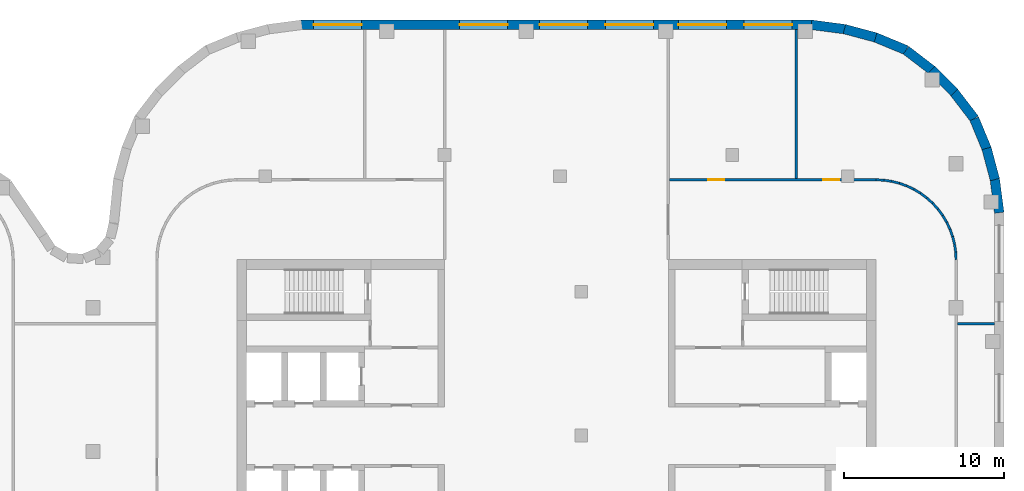
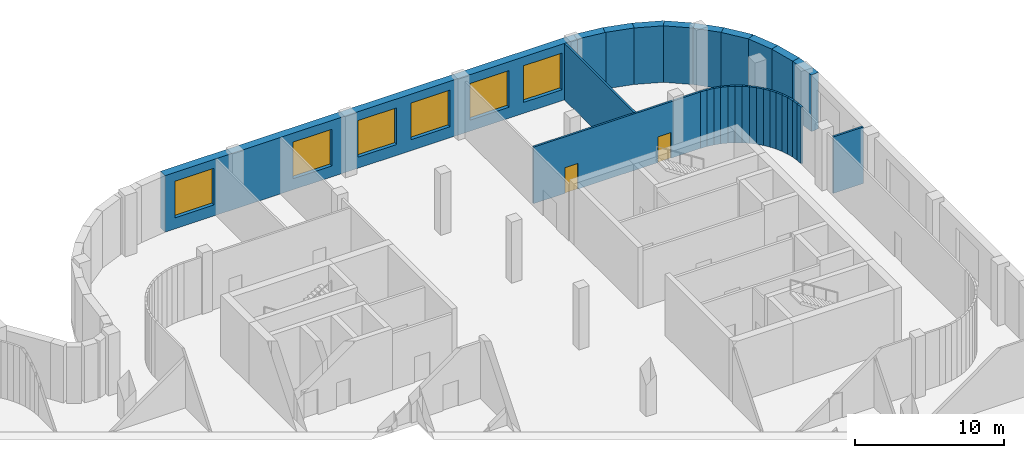
# One storey, part 15 of 18: 29 walls, 6 windows, 2 doors, 8 openings.
"""IFC4 building model written with IfcOpenShell, lengths in metres."""

from ifc_helpers import new_model, si_unit, direction, frame, frame_2d, origin, place, context, subcontext, project, spatial, rectangle, extrude, material, layer, layer_set, type_object, element, fill, save


model = new_model("IFC4")

# Units and contexts
model_context = context("Model", 3, precision=1e-05, world=origin(), true_north=direction((0.0, 1.0)))
body_context = subcontext(model_context, "Body", "Model", "MODEL_VIEW")
ifc_project = project(units=[si_unit("LENGTHUNIT", "METRE"), si_unit("AREAUNIT", "SQUARE_METRE"), si_unit("VOLUMEUNIT", "CUBIC_METRE"), si_unit("PLANEANGLEUNIT", "RADIAN"), si_unit("MASSUNIT", "GRAM", prefix="KILO")], contexts=[model_context])

# Site, building, storey
site_placement = place(None, origin())
site = spatial("IfcSite", under=ifc_project, at=site_placement, CompositionType="ELEMENT")
building_placement = place(site_placement, origin())
building = spatial("IfcBuilding", under=site, at=building_placement, Name="Skarvind Civic Tower", CompositionType="ELEMENT")
storey_placement = place(building_placement, frame((0.0, 0.0, 22.5)))
storey = spatial("IfcBuildingStorey", under=building, at=storey_placement, Name="L04", CompositionType="ELEMENT", Elevation=22.5)

# Wall, openings, doors
ifc_material_1 = material(Name="Plasterboard partition on steel studs", Category="steel")
ifc_layer_1 = layer(ifc_material_1, 0.14990234375)
ifc_layer_set_1 = layer_set([ifc_layer_1], Name="PARTITION 150")
wall_type_1 = type_object("IfcWallType", Name="PARTITION 150", PredefinedType="PARTITIONING", material=ifc_layer_set_1)
wall_1_placement = place(storey_placement, frame((154.074951171875, 144.0, 0.0), z_axis=(0.0, 0.0, 1.0), x_axis=(1.0, 0.0, 0.0)))
wall_1 = element("IfcWall", 1, at=wall_1_placement, inside=storey, type_object=wall_type_1, Name="Podium partition L04 247", PredefinedType="PARTITIONING", context=body_context, shape_type="SweptSolid", body=[
    extrude(rectangle(XDim=12.927001953125, YDim=0.14990234375, at=frame_2d((6.46337890625, 0.0))), origin(), (0.0, 0.0, 1.0), 4.625),
])
opening_1_placement = place(wall_1_placement, frame((2.427001953125, 0.0, 0.0)))
opening_1 = element("IfcOpeningElement", 2, at=opening_1_placement, cuts=wall_1, Name="Opening L04-D225", PredefinedType="OPENING", context=body_context, shape_type="SweptSolid", body=[
    extrude(rectangle(XDim=1.0, YDim=2.10009765625, at=frame_2d((0.5, 1.050048828125))), frame((0.0, 0.0849609375, 0.0), z_axis=(0.0, -1.0, 0.0), x_axis=(1.0, 0.0, 0.0)), (0.0, 0.0, 1.0), 0.169921875),
])
opening_2_placement = place(wall_1_placement, frame((9.623046875, 0.0, 0.0)))
opening_2 = element("IfcOpeningElement", 3, at=opening_2_placement, cuts=wall_1, Name="Opening L04-D227", PredefinedType="OPENING", context=body_context, shape_type="SweptSolid", body=[
    extrude(rectangle(XDim=1.0, YDim=2.10009765625, at=frame_2d((0.5, 1.050048828125))), frame((0.0, 0.0849609375, 0.0), z_axis=(0.0, -1.0, 0.0), x_axis=(1.0, 0.0, 0.0)), (0.0, 0.0, 1.0), 0.169921875),
])
ifc_material_2 = material(Name="Timber veneer door leaf", Category="wood")
door_type = type_object("IfcDoorType", Name="DOOR 1000X2100 TIMBER", OperationType="NOTDEFINED", PredefinedType="DOOR", material=ifc_material_2)
door_1_placement = place(opening_1_placement, origin())
door_1 = element("IfcDoor", 4, at=door_1_placement, inside=storey, type_object=door_type, Name="DOOR DOOR", OperationType="SINGLE_SWING_LEFT", OverallHeight=2.10009765625, OverallWidth=1.0, PredefinedType="DOOR", context=body_context, shape_type="SweptSolid", body=[
    extrude(rectangle(XDim=1.0, YDim=2.10009765625, at=frame_2d((0.5, 1.050048828125))), frame((0.0, 0.02490234375, 0.0), z_axis=(0.0, -1.0, 0.0), x_axis=(1.0, 0.0, 0.0)), (0.0, 0.0, 1.0), 0.050048828125),
])
fill(opening_1, door_1)
door_2_placement = place(opening_2_placement, origin())
door_2 = element("IfcDoor", 5, at=door_2_placement, inside=storey, type_object=door_type, Name="DOOR DOOR", OperationType="SINGLE_SWING_LEFT", OverallHeight=2.10009765625, OverallWidth=1.0, PredefinedType="DOOR", context=body_context, shape_type="SweptSolid", body=[
    extrude(rectangle(XDim=1.0, YDim=2.10009765625, at=frame_2d((0.5, 1.050048828125))), frame((0.0, 0.02490234375, 0.0), z_axis=(0.0, -1.0, 0.0), x_axis=(1.0, 0.0, 0.0)), (0.0, 0.0, 1.0), 0.050048828125),
])
fill(opening_2, door_2)

# Walls
wall_2_placement = place(storey_placement, frame((162.0, 144.074951171875, 0.0), z_axis=(0.0, 0.0, 1.0), x_axis=(0.0, 1.0, 0.0)))
element("IfcWall", 6, at=wall_2_placement, inside=storey, type_object=wall_type_1, Name="Podium partition L04 249", PredefinedType="PARTITIONING", context=body_context, shape_type="SweptSolid", body=[
    extrude(rectangle(XDim=9.324951171875, YDim=0.14990234375, at=frame_2d((4.66259765625, 0.0))), origin(), (0.0, 0.0, 1.0), 4.625),
])
wall_3_placement = place(storey_placement, frame((166.998046875, 144.0, 0.0), z_axis=(0.0, 0.0, 1.0), x_axis=(0.998837896651, -0.048196018647, 0.0)))
element("IfcWall", 7, at=wall_3_placement, inside=storey, type_object=wall_type_1, Name="Podium partition L04 251", PredefinedType="PARTITIONING", context=body_context, shape_type="SweptSolid", body=[
    extrude(rectangle(XDim=0.496337890625, YDim=0.14990234375, at=frame_2d((0.248046875, 0.0))), origin(), (0.0, 0.0, 1.0), 4.625),
])
wall_4_placement = place(storey_placement, frame((167.486083984375, 143.97705078125, 0.0), z_axis=(0.0, 0.0, 1.0), x_axis=(0.988925572052, -0.148412307247, 0.0)))
element("IfcWall", 8, at=wall_4_placement, inside=storey, type_object=wall_type_1, Name="Podium partition L04 253", PredefinedType="PARTITIONING", context=body_context, shape_type="SweptSolid", body=[
    extrude(rectangle(XDim=0.49853515625, YDim=0.14990234375, at=frame_2d((0.249267578125, 0.0))), origin(), (0.0, 0.0, 1.0), 4.625),
])
wall_5_placement = place(storey_placement, frame((167.970947265625, 143.905029296875, 0.0), z_axis=(0.0, 0.0, 1.0), x_axis=(0.970113715952, -0.242650732785, 0.0)))
element("IfcWall", 9, at=wall_5_placement, inside=storey, type_object=wall_type_1, Name="Podium partition L04 255", PredefinedType="PARTITIONING", context=body_context, shape_type="SweptSolid", body=[
    extrude(rectangle(XDim=0.4990234375, YDim=0.14990234375, at=frame_2d((0.24951171875, 0.0))), origin(), (0.0, 0.0, 1.0), 4.625),
])
for number, where, z_axis, x_axis, name in (
    (10, (168.447021484375, 143.785888671875, 0.0), (0.0, 0.0, 1.0), (0.941442168887, -0.3371744988, 0.0), "Podium partition L04 257"),
    (11, (168.909912109375, 143.62109375, 0.0), (0.0, 0.0, 1.0), (0.903827641978, -0.427896709028, 0.0), "Podium partition L04 259"),
):
    element("IfcWall", number, at=place(storey_placement, frame(where, z_axis=z_axis, x_axis=x_axis)), inside=storey, type_object=wall_type_1, Name=name, PredefinedType="PARTITIONING", context=body_context, shape_type="SweptSolid", body=[
        extrude(rectangle(XDim=0.498046875, YDim=0.14990234375, at=frame_2d((0.2490234375, 0.0))), origin(), (0.0, 0.0, 1.0), 4.625),
    ])
wall_6_placement = place(storey_placement, frame((169.35400390625, 143.412109375, 0.0), z_axis=(0.0, 0.0, 1.0), x_axis=(0.85671397893, -0.515791778052, 0.0)))
element("IfcWall", 12, at=wall_6_placement, inside=storey, type_object=wall_type_1, Name="Podium partition L04 261", PredefinedType="PARTITIONING", context=body_context, shape_type="SweptSolid", body=[
    extrude(rectangle(XDim=0.49853515625, YDim=0.14990234375, at=frame_2d((0.249267578125, 0.0))), origin(), (0.0, 0.0, 1.0), 4.625),
])
wall_7_placement = place(storey_placement, frame((169.77490234375, 143.158935546875, 0.0), z_axis=(0.0, 0.0, 1.0), x_axis=(0.80404358372, -0.594570362092, 0.0)))
element("IfcWall", 13, at=wall_7_placement, inside=storey, type_object=wall_type_1, Name="Podium partition L04 263", PredefinedType="PARTITIONING", context=body_context, shape_type="SweptSolid", body=[
    extrude(rectangle(XDim=0.49755859375, YDim=0.14990234375, at=frame_2d((0.248779296875, 0.0))), origin(), (0.0, 0.0, 1.0), 4.625),
])
for number, where, z_axis, x_axis, name in (
    (14, (170.1689453125, 142.866943359375, 0.0), (0.0, 0.0, 1.0), (0.742416880587, -0.66993818776, 0.0), "Podium partition L04 265"),
    (15, (170.532958984375, 142.5390625, 0.0), (0.0, 0.0, 1.0), (0.66993818776, -0.742416880587, 0.0), "Podium partition L04 267"),
):
    element("IfcWall", number, at=place(storey_placement, frame(where, z_axis=z_axis, x_axis=x_axis)), inside=storey, type_object=wall_type_1, Name=name, PredefinedType="PARTITIONING", context=body_context, shape_type="SweptSolid", body=[
        extrude(rectangle(XDim=0.49853515625, YDim=0.14990234375, at=frame_2d((0.249267578125, 0.0))), origin(), (0.0, 0.0, 1.0), 4.625),
    ])
wall_8_placement = place(storey_placement, frame((170.863037109375, 142.175048828125, 0.0), z_axis=(0.0, 0.0, 1.0), x_axis=(0.594570362092, -0.80404358372, 0.0)))
element("IfcWall", 16, at=wall_8_placement, inside=storey, type_object=wall_type_1, Name="Podium partition L04 269", PredefinedType="PARTITIONING", context=body_context, shape_type="SweptSolid", body=[
    extrude(rectangle(XDim=0.49755859375, YDim=0.14990234375, at=frame_2d((0.248779296875, 0.0))), origin(), (0.0, 0.0, 1.0), 4.625),
])
wall_9_placement = place(storey_placement, frame((171.155029296875, 141.781005859375, 0.0), z_axis=(0.0, 0.0, 1.0), x_axis=(0.515791778052, -0.85671397893, 0.0)))
element("IfcWall", 17, at=wall_9_placement, inside=storey, type_object=wall_type_1, Name="Podium partition L04 271", PredefinedType="PARTITIONING", context=body_context, shape_type="SweptSolid", body=[
    extrude(rectangle(XDim=0.49853515625, YDim=0.14990234375, at=frame_2d((0.249267578125, 0.0))), origin(), (0.0, 0.0, 1.0), 4.625),
])
for number, where, z_axis, x_axis, name in (
    (18, (171.407958984375, 141.360107421875, 0.0), (0.0, 0.0, 1.0), (0.427896709028, -0.903827641978, 0.0), "Podium partition L04 273"),
    (19, (171.617919921875, 140.916015625, 0.0), (0.0, 0.0, 1.0), (0.3371744988, -0.941442168887, 0.0), "Podium partition L04 275"),
):
    element("IfcWall", number, at=place(storey_placement, frame(where, z_axis=z_axis, x_axis=x_axis)), inside=storey, type_object=wall_type_1, Name=name, PredefinedType="PARTITIONING", context=body_context, shape_type="SweptSolid", body=[
        extrude(rectangle(XDim=0.498046875, YDim=0.14990234375, at=frame_2d((0.2490234375, 0.0))), origin(), (0.0, 0.0, 1.0), 4.625),
    ])
wall_10_placement = place(storey_placement, frame((171.783935546875, 140.455078125, 0.0), z_axis=(0.0, 0.0, 1.0), x_axis=(0.242650732785, -0.970113715952, 0.0)))
element("IfcWall", 20, at=wall_10_placement, inside=storey, type_object=wall_type_1, Name="Podium partition L04 277", PredefinedType="PARTITIONING", context=body_context, shape_type="SweptSolid", body=[
    extrude(rectangle(XDim=0.4990234375, YDim=0.14990234375, at=frame_2d((0.24951171875, 0.0))), origin(), (0.0, 0.0, 1.0), 4.625),
])
wall_11_placement = place(storey_placement, frame((171.903076171875, 139.97900390625, 0.0), z_axis=(0.0, 0.0, 1.0), x_axis=(0.148412307247, -0.988925572052, 0.0)))
element("IfcWall", 21, at=wall_11_placement, inside=storey, type_object=wall_type_1, Name="Podium partition L04 279", PredefinedType="PARTITIONING", context=body_context, shape_type="SweptSolid", body=[
    extrude(rectangle(XDim=0.49853515625, YDim=0.14990234375, at=frame_2d((0.249267578125, 0.0))), origin(), (0.0, 0.0, 1.0), 4.625),
])
wall_12_placement = place(storey_placement, frame((171.97607421875, 139.493896484375, 0.0), z_axis=(0.0, 0.0, 1.0), x_axis=(0.048196018647, -0.998837896651, 0.0)))
element("IfcWall", 22, at=wall_12_placement, inside=storey, type_object=wall_type_1, Name="Podium partition L04 281", PredefinedType="PARTITIONING", context=body_context, shape_type="SweptSolid", body=[
    extrude(rectangle(XDim=0.496337890625, YDim=0.14990234375, at=frame_2d((0.248046875, 0.0))), origin(), (0.0, 0.0, 1.0), 4.625),
])
wall_13_placement = place(storey_placement, frame((172.074951171875, 135.0, 0.0), z_axis=(0.0, 0.0, 1.0), x_axis=(1.0, 0.0, 0.0)))
element("IfcWall", 23, at=wall_13_placement, inside=storey, type_object=wall_type_1, Name="Podium partition L04 283", PredefinedType="PARTITIONING", context=body_context, shape_type="SweptSolid", body=[
    extrude(rectangle(XDim=2.324951171875, YDim=0.14990234375, at=frame_2d((1.16259765625, 0.0))), origin(), (0.0, 0.0, 1.0), 4.625),
])
ifc_material_3 = material(Name="Limestone masonry cladding on insulated backing", Category="masonry")
ifc_layer_2 = layer(ifc_material_3, 0.60009765625)
ifc_layer_set_2 = layer_set([ifc_layer_2], Name="WX1 STONE FACADE WALL 600")
wall_type_2 = type_object("IfcWallType", Name="WX1 STONE FACADE WALL 600", PredefinedType="SOLIDWALL", material=ifc_layer_set_2)
wall_14_placement = place(storey_placement, frame((174.42431640625, 144.052490234375, 0.0), z_axis=(0.0, 0.0, 1.0), x_axis=(0.130558200013, -0.991440646942, 0.0)))
element("IfcWall", 24, at=wall_14_placement, inside=storey, type_object=wall_type_2, Name="STONE FACADE WALL", PredefinedType="SOLIDWALL", context=body_context, shape_type="SweptSolid", body=[
    extrude(rectangle(XDim=2.1318359375, YDim=0.60009765625, at=frame_2d((1.06591796875, 0.0))), origin(), (0.0, 0.0, 1.0), 4.625),
])
wall_15_placement = place(storey_placement, frame((173.908447265625, 145.967529296875, 0.0), z_axis=(0.0, 0.0, 1.0), x_axis=(0.258804467146, -0.965929732323, 0.0)))
element("IfcWall", 25, at=wall_15_placement, inside=storey, type_object=wall_type_2, Name="STONE FACADE WALL", PredefinedType="SOLIDWALL", context=body_context, shape_type="SweptSolid", body=[
    extrude(rectangle(XDim=2.0224609375, YDim=0.60009765625, at=frame_2d((1.01123046875, 0.0))), origin(), (0.0, 0.0, 1.0), 4.625),
])
wall_16_placement = place(storey_placement, frame((173.1396484375, 147.8193359375, 0.0), z_axis=(0.0, 0.0, 1.0), x_axis=(0.382341242798, -0.924021197839, 0.0)))
element("IfcWall", 26, at=wall_16_placement, inside=storey, type_object=wall_type_2, Name="STONE FACADE WALL", PredefinedType="SOLIDWALL", context=body_context, shape_type="SweptSolid", body=[
    extrude(rectangle(XDim=2.0439453125, YDim=0.60009765625, at=frame_2d((1.02197265625, 0.0))), origin(), (0.0, 0.0, 1.0), 4.625),
])
wall_17_placement = place(storey_placement, frame((171.864501953125, 149.49267578125, 0.0), z_axis=(0.0, 0.0, 1.0), x_axis=(0.609052002567, -0.79313029079, 0.0)))
element("IfcWall", 27, at=wall_17_placement, inside=storey, type_object=wall_type_2, Name="STONE FACADE WALL", PredefinedType="SOLIDWALL", context=body_context, shape_type="SweptSolid", body=[
    extrude(rectangle(XDim=2.114013671875, YDim=0.60009765625, at=frame_2d((1.05712890625, 0.0))), origin(), (0.0, 0.0, 1.0), 4.625),
])
wall_18_placement = place(storey_placement, frame((170.463134765625, 150.890380859375, 0.0), z_axis=(0.0, 0.0, 1.0), x_axis=(0.707106781187, -0.707106781187, 0.0)))
element("IfcWall", 28, at=wall_18_placement, inside=storey, type_object=wall_type_2, Name="STONE FACADE WALL", PredefinedType="SOLIDWALL", context=body_context, shape_type="SweptSolid", body=[
    extrude(rectangle(XDim=2.018310546875, YDim=0.60009765625, at=frame_2d((1.00927734375, 0.0))), origin(), (0.0, 0.0, 1.0), 4.625),
])
wall_19_placement = place(storey_placement, frame((168.87158203125, 152.109375, 0.0), z_axis=(0.0, 0.0, 1.0), x_axis=(0.793125485267, -0.609058260448, 0.0)))
element("IfcWall", 29, at=wall_19_placement, inside=storey, type_object=wall_type_2, Name="STONE FACADE WALL", PredefinedType="SOLIDWALL", context=body_context, shape_type="SweptSolid", body=[
    extrude(rectangle(XDim=2.0439453125, YDim=0.60009765625, at=frame_2d((1.02197265625, 0.0))), origin(), (0.0, 0.0, 1.0), 4.625),
])
wall_20_placement = place(storey_placement, frame((166.9306640625, 152.921142578125, 0.0), z_axis=(0.0, 0.0, 1.0), x_axis=(0.924006983526, -0.382375593358, 0.0)))
element("IfcWall", 30, at=wall_20_placement, inside=storey, type_object=wall_type_2, Name="STONE FACADE WALL", PredefinedType="SOLIDWALL", context=body_context, shape_type="SweptSolid", body=[
    extrude(rectangle(XDim=2.114013671875, YDim=0.60009765625, at=frame_2d((1.05712890625, 0.0))), origin(), (0.0, 0.0, 1.0), 4.625),
])
wall_21_placement = place(storey_placement, frame((165.013916015625, 153.431884765625, 0.0), z_axis=(0.0, 0.0, 1.0), x_axis=(0.965929732323, -0.258804467146, 0.0)))
element("IfcWall", 31, at=wall_21_placement, inside=storey, type_object=wall_type_2, Name="STONE FACADE WALL", PredefinedType="SOLIDWALL", context=body_context, shape_type="SweptSolid", body=[
    extrude(rectangle(XDim=2.0224609375, YDim=0.60009765625, at=frame_2d((1.01123046875, 0.0))), origin(), (0.0, 0.0, 1.0), 4.625),
])
wall_22_placement = place(storey_placement, frame((162.93896484375, 153.70263671875, 0.0), z_axis=(0.0, 0.0, 1.0), x_axis=(0.991440646942, -0.130558200013, 0.0)))
element("IfcWall", 32, at=wall_22_placement, inside=storey, type_object=wall_type_2, Name="STONE FACADE WALL", PredefinedType="SOLIDWALL", context=body_context, shape_type="SweptSolid", body=[
    extrude(rectangle(XDim=2.1318359375, YDim=0.60009765625, at=frame_2d((1.06591796875, 0.0))), origin(), (0.0, 0.0, 1.0), 4.625),
])

# Wall, openings, windows
wall_23_placement = place(storey_placement, frame((131.021728515625, 153.699951171875, 0.0), z_axis=(0.0, 0.0, 1.0), x_axis=(1.0, 0.0, 0.0)))
wall_23 = element("IfcWall", 33, at=wall_23_placement, inside=storey, type_object=wall_type_2, Name="STONE FACADE WALL", PredefinedType="SOLIDWALL", context=body_context, shape_type="SweptSolid", body=[
    extrude(rectangle(XDim=31.95654296875, YDim=0.60009765625, at=frame_2d((15.978271484375, 0.0))), origin(), (0.0, 0.0, 1.0), 4.625),
])
opening_3_placement = place(wall_23_placement, frame((0.78271484375, 0.0, 0.89990234375)))
opening_3 = element("IfcOpeningElement", 34, at=opening_3_placement, cuts=wall_23, Name="Opening WN2", PredefinedType="OPENING", context=body_context, shape_type="SweptSolid", body=[
    extrude(rectangle(XDim=3.0, YDim=3.0, at=frame_2d((1.5, 1.5))), frame((0.0, 0.31005859375, 0.0), z_axis=(0.0, -1.0, 0.0), x_axis=(1.0, 0.0, 0.0)), (0.0, 0.0, 1.0), 0.6201171875),
])
opening_4_placement = place(wall_23_placement, frame((9.9130859375, 0.0, 0.89990234375)))
opening_4 = element("IfcOpeningElement", 35, at=opening_4_placement, cuts=wall_23, Name="Opening WN2", PredefinedType="OPENING", context=body_context, shape_type="SweptSolid", body=[
    extrude(rectangle(XDim=3.0, YDim=3.0, at=frame_2d((1.5, 1.5))), frame((0.0, 0.31005859375, 0.0), z_axis=(0.0, -1.0, 0.0), x_axis=(1.0, 0.0, 0.0)), (0.0, 0.0, 1.0), 0.6201171875),
])
opening_5_placement = place(wall_23_placement, frame((14.92822265625, 0.0, 0.89990234375)))
opening_5 = element("IfcOpeningElement", 36, at=opening_5_placement, cuts=wall_23, Name="Opening WN2", PredefinedType="OPENING", context=body_context, shape_type="SweptSolid", body=[
    extrude(rectangle(XDim=3.0, YDim=3.0, at=frame_2d((1.5, 1.5))), frame((0.0, 0.31005859375, 0.0), z_axis=(0.0, -1.0, 0.0), x_axis=(1.0, 0.0, 0.0)), (0.0, 0.0, 1.0), 0.6201171875),
])
opening_6_placement = place(wall_23_placement, frame((19.04345703125, 0.0, 0.89990234375)))
opening_6 = element("IfcOpeningElement", 37, at=opening_6_placement, cuts=wall_23, Name="Opening WN2", PredefinedType="OPENING", context=body_context, shape_type="SweptSolid", body=[
    extrude(rectangle(XDim=3.0, YDim=3.0, at=frame_2d((1.5, 1.5))), frame((0.0, 0.31005859375, 0.0), z_axis=(0.0, -1.0, 0.0), x_axis=(1.0, 0.0, 0.0)), (0.0, 0.0, 1.0), 0.6201171875),
])
opening_7_placement = place(wall_23_placement, frame((23.608642578125, 0.0, 0.89990234375)))
opening_7 = element("IfcOpeningElement", 38, at=opening_7_placement, cuts=wall_23, Name="Opening WN2", PredefinedType="OPENING", context=body_context, shape_type="SweptSolid", body=[
    extrude(rectangle(XDim=3.0, YDim=3.0, at=frame_2d((1.5, 1.5))), frame((0.0, 0.31005859375, 0.0), z_axis=(0.0, -1.0, 0.0), x_axis=(1.0, 0.0, 0.0)), (0.0, 0.0, 1.0), 0.6201171875),
])
opening_8_placement = place(wall_23_placement, frame((27.723876953125, 0.0, 0.89990234375)))
opening_8 = element("IfcOpeningElement", 39, at=opening_8_placement, cuts=wall_23, Name="Opening WN2", PredefinedType="OPENING", context=body_context, shape_type="SweptSolid", body=[
    extrude(rectangle(XDim=3.0, YDim=3.0, at=frame_2d((1.5, 1.5))), frame((0.0, 0.31005859375, 0.0), z_axis=(0.0, -1.0, 0.0), x_axis=(1.0, 0.0, 0.0)), (0.0, 0.0, 1.0), 0.6201171875),
])
ifc_material_4 = material(Name="Timber frame, double glazing, timber-lined reveal", Category="wood")
window_type = type_object("IfcWindowType", Name="WN2 PODIUM STONE WINDOW 3000 x 3000", PartitioningType="SINGLE_PANEL", PredefinedType="WINDOW", material=ifc_material_4)
window_1_placement = place(opening_3_placement, origin())
window_1 = element("IfcWindow", 40, at=window_1_placement, inside=storey, type_object=window_type, Name="WN2 WINDOW", OverallHeight=3.0, OverallWidth=3.0, PartitioningType="SINGLE_PANEL", PredefinedType="WINDOW", context=body_context, shape_type="SweptSolid", body=[
    extrude(rectangle(XDim=3.0, YDim=3.0, at=frame_2d((1.5, 1.5))), frame((0.0, 0.030029296875, 0.0), z_axis=(0.0, -1.0, 0.0), x_axis=(1.0, 0.0, 0.0)), (0.0, 0.0, 1.0), 0.06005859375),
])
fill(opening_3, window_1)
window_2_placement = place(opening_4_placement, origin())
window_2 = element("IfcWindow", 41, at=window_2_placement, inside=storey, type_object=window_type, Name="WN2 WINDOW", OverallHeight=3.0, OverallWidth=3.0, PartitioningType="SINGLE_PANEL", PredefinedType="WINDOW", context=body_context, shape_type="SweptSolid", body=[
    extrude(rectangle(XDim=3.0, YDim=3.0, at=frame_2d((1.5, 1.5))), frame((0.0, 0.030029296875, 0.0), z_axis=(0.0, -1.0, 0.0), x_axis=(1.0, 0.0, 0.0)), (0.0, 0.0, 1.0), 0.06005859375),
])
fill(opening_4, window_2)
window_3_placement = place(opening_5_placement, origin())
window_3 = element("IfcWindow", 42, at=window_3_placement, inside=storey, type_object=window_type, Name="WN2 WINDOW", OverallHeight=3.0, OverallWidth=3.0, PartitioningType="SINGLE_PANEL", PredefinedType="WINDOW", context=body_context, shape_type="SweptSolid", body=[
    extrude(rectangle(XDim=3.0, YDim=3.0, at=frame_2d((1.5, 1.5))), frame((0.0, 0.030029296875, 0.0), z_axis=(0.0, -1.0, 0.0), x_axis=(1.0, 0.0, 0.0)), (0.0, 0.0, 1.0), 0.06005859375),
])
fill(opening_5, window_3)
window_4_placement = place(opening_6_placement, origin())
window_4 = element("IfcWindow", 43, at=window_4_placement, inside=storey, type_object=window_type, Name="WN2 WINDOW", OverallHeight=3.0, OverallWidth=3.0, PartitioningType="SINGLE_PANEL", PredefinedType="WINDOW", context=body_context, shape_type="SweptSolid", body=[
    extrude(rectangle(XDim=3.0, YDim=3.0, at=frame_2d((1.5, 1.5))), frame((0.0, 0.030029296875, 0.0), z_axis=(0.0, -1.0, 0.0), x_axis=(1.0, 0.0, 0.0)), (0.0, 0.0, 1.0), 0.06005859375),
])
fill(opening_6, window_4)
window_5_placement = place(opening_7_placement, origin())
window_5 = element("IfcWindow", 44, at=window_5_placement, inside=storey, type_object=window_type, Name="WN2 WINDOW", OverallHeight=3.0, OverallWidth=3.0, PartitioningType="SINGLE_PANEL", PredefinedType="WINDOW", context=body_context, shape_type="SweptSolid", body=[
    extrude(rectangle(XDim=3.0, YDim=3.0, at=frame_2d((1.5, 1.5))), frame((0.0, 0.030029296875, 0.0), z_axis=(0.0, -1.0, 0.0), x_axis=(1.0, 0.0, 0.0)), (0.0, 0.0, 1.0), 0.06005859375),
])
fill(opening_7, window_5)
window_6_placement = place(opening_8_placement, origin())
window_6 = element("IfcWindow", 45, at=window_6_placement, inside=storey, type_object=window_type, Name="WN2 WINDOW", OverallHeight=3.0, OverallWidth=3.0, PartitioningType="SINGLE_PANEL", PredefinedType="WINDOW", context=body_context, shape_type="SweptSolid", body=[
    extrude(rectangle(XDim=3.0, YDim=3.0, at=frame_2d((1.5, 1.5))), frame((0.0, 0.030029296875, 0.0), z_axis=(0.0, -1.0, 0.0), x_axis=(1.0, 0.0, 0.0)), (0.0, 0.0, 1.0), 0.06005859375),
])
fill(opening_8, window_6)

save(model, "model.ifc")
